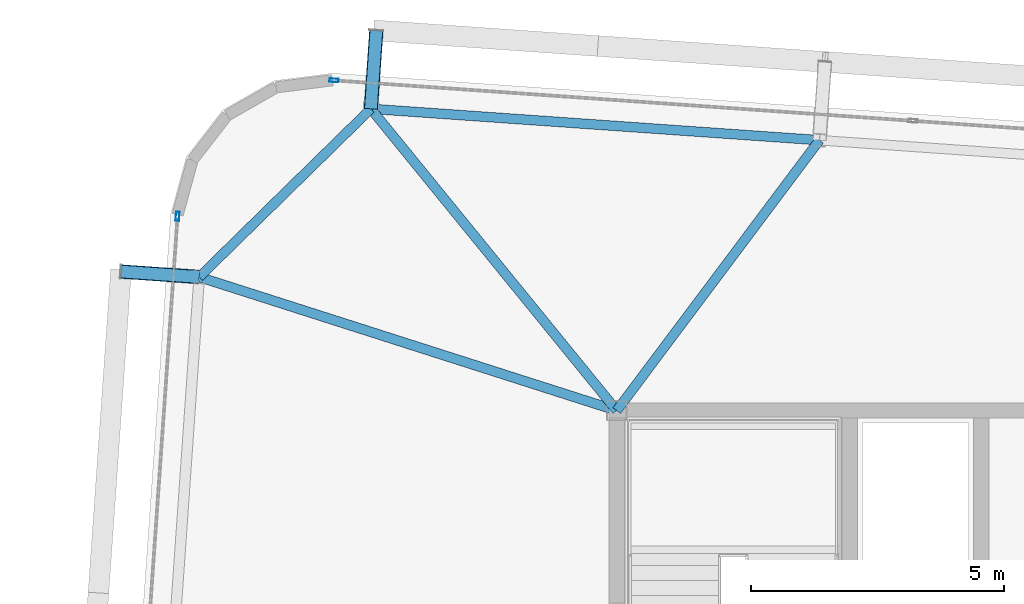
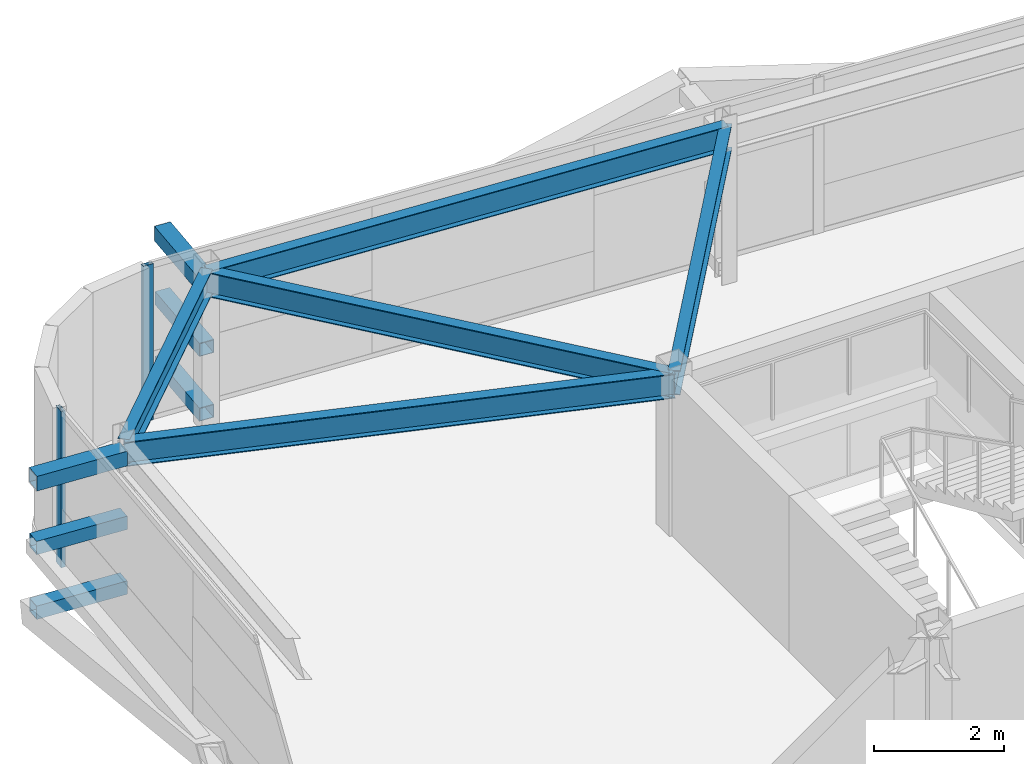
# One storey, part 19 of 39: 8 members, 5 beams, 2 elements without a shape of their own.
"""IFC4 building model written with IfcOpenShell, lengths in metres."""

from ifc_helpers import new_model, si_unit, direction, frame, origin, origin_2d, place, context, subcontext, project, spatial, hollow_rectangle, i_section, extrude, source, transform, mapped, material, layer, layer_set, material_profile, profile_set, type_object, element, aggregate, save


model = new_model("IFC4")

# Units and contexts
model_context = context("Model", 3, precision=1e-05, world=origin(), true_north=direction((0.0, 1.0)))
body_context = subcontext(model_context, "Body", "Model", "MODEL_VIEW")
ifc_project = project(units=[si_unit("LENGTHUNIT", "METRE"), si_unit("AREAUNIT", "SQUARE_METRE"), si_unit("VOLUMEUNIT", "CUBIC_METRE"), si_unit("PLANEANGLEUNIT", "RADIAN"), si_unit("MASSUNIT", "GRAM", prefix="KILO")], contexts=[model_context])

# Site, building, storey
site_placement = place(None, origin())
site = spatial("IfcSite", under=ifc_project, at=site_placement, CompositionType="ELEMENT")
building_placement = place(site_placement, origin())
building = spatial("IfcBuilding", under=site, at=building_placement, Name="Taldren Reach Tower", CompositionType="ELEMENT")
storey_placement = place(building_placement, frame((0.0, 0.0, 126.699951171875)))
storey = spatial("IfcBuildingStorey", under=building, at=storey_placement, Name="L38", CompositionType="ELEMENT", Elevation=126.699951171875)

# Members
ifc_material_1 = material(Name="Steel Gr 450 (C450L0)", Category="steel")
ifc_material_profile_1 = material_profile(ifc_material_1, hollow_rectangle(XDim=0.27490234375, YDim=0.27490234375, WallThickness=0.00927734375, at=origin_2d()), Name="275x275x9.3SHS")
ifc_profile_set_1 = profile_set([ifc_material_profile_1], Name="Steel Gr 450 (C450L0)")
member_type_1 = type_object("IfcMemberType", Name="MB-TIE273", PredefinedType="STRUT", material=ifc_profile_set_1)
shared_shape_1 = source(origin(), body_context, "Body", "SweptSolid", [
    extrude(hollow_rectangle(XDim=0.27490234375, YDim=0.27490234375, WallThickness=0.00927734375, at=origin_2d()), origin(), (0.0, 0.0, 1.0), 1.5498046875),
])
for number, where, z_axis, x_axis, name in (
    (1, (14.14453125, 37.958740234375, 2.650146484375), (0.069780535098, 0.997562367434, 0.0), (-0.997562367434, 0.069780535098, 0.0), "Exoskeleton diaphragm tie strut B3-N1 L38"),
    (2, (10.754638671875, 34.63720703125, 2.650146484375), (-0.997562367434, 0.069780535098, 0.0), (-0.069780535098, -0.997562367434, 0.0), "Exoskeleton diaphragm tie strut B3-W3 L38"),
):
    element("IfcMember", number, at=place(storey_placement, frame(where, z_axis=z_axis, x_axis=x_axis)), inside=storey, type_object=member_type_1, Name=name, PredefinedType="STRUT", context=body_context, shape_type="MappedRepresentation", body=[
        mapped(shared_shape_1, transform((0.0, 0.0, 0.0), scale=1.0)),
    ])
ifc_material_2 = material(Name="Steel Gr 350 (C350L0)", Category="steel")
ifc_material_profile_2 = material_profile(ifc_material_2, hollow_rectangle(XDim=0.25, YDim=0.25, WallThickness=0.010009765625, at=origin_2d()), Name="250x250x10.0SHS")
ifc_profile_set_2 = profile_set([ifc_material_profile_2], Name="Steel Gr 350 (C350L0)")
member_type_2 = type_object("IfcMemberType", Name="MB-POST250", PredefinedType="POST", material=ifc_profile_set_2)
shared_shape_2 = source(origin(), body_context, "Body", "SweptSolid", [
    extrude(hollow_rectangle(XDim=0.25, YDim=0.25, WallThickness=0.010009765625, at=origin_2d()), origin(), (0.0, 0.0, 1.0), 1.5498046875),
])
for number, where, z_axis, x_axis, name in (
    (3, (14.14453125, 37.958740234375, 0.219970703125), (0.069780535098, 0.997562367434, 0.0), (-0.997562367434, 0.069780535098, 0.0), "Exoskeleton base diaphragm tie strut B3-N1 L38"),
    (4, (10.754638671875, 34.63720703125, 0.219970703125), (-0.997562367434, 0.069780535098, 0.0), (-0.069780535098, -0.997562367434, 0.0), "Exoskeleton base diaphragm tie strut B3-W3 L38"),
    (5, (14.14453125, 37.958740234375, 1.43505859375), (0.069780535098, 0.997562367434, 0.0), (-0.997562367434, 0.069780535098, 0.0), "Exoskeleton mid-tier diaphragm tie B3-N1 L38"),
    (6, (10.754638671875, 34.63720703125, 1.43505859375), (-0.997562367434, 0.069780535098, 0.0), (-0.069780535098, -0.997562367434, 0.0), "Exoskeleton mid-tier diaphragm tie B3-W3 L38"),
):
    element("IfcMember", number, at=place(storey_placement, frame(where, z_axis=z_axis, x_axis=x_axis)), inside=storey, type_object=member_type_2, Name=name, PredefinedType="POST", context=body_context, shape_type="MappedRepresentation", body=[
        mapped(shared_shape_2, transform((0.0, 0.0, 0.0), scale=1.0)),
    ])

# Beams
ifc_material_3 = material(Name="Steel Gr 350 (350PLUS)", Category="steel")
ifc_material_profile_3 = material_profile(ifc_material_3, i_section(OverallWidth=0.18994140625, OverallDepth=0.4541015625, WebThickness=0.008544921875, FlangeThickness=0.0126953125, at=origin_2d()), Name="460UB67.1")
ifc_profile_set_3 = profile_set([ifc_material_profile_3], Name="Steel Gr 350 (350PLUS)")
beam_type_1 = type_object("IfcBeamType", Name="SP-UB460B", PredefinedType="SPANDREL", material=ifc_profile_set_3)
shared_shape_3 = source(origin(), body_context, "Body", "SweptSolid", [
    extrude(i_section(OverallWidth=0.18994140625, OverallDepth=0.4541015625, WebThickness=0.008544921875, FlangeThickness=0.0126953125, at=origin_2d()), origin(), (0.0, 0.0, 1.0), 8.880126953125),
])
beam_1_placement = place(storey_placement, frame((23.0029296875, 37.33935546875, 2.703125), z_axis=(-0.997564479639, 0.069750333063, 0.0), x_axis=(-0.069750333063, -0.997564479639, 0.0)))
element("IfcBeam", 7, at=beam_1_placement, inside=storey, type_object=beam_type_1, Name="Perimeter spandrel B3 N2-N1 L38", PredefinedType="SPANDREL", context=body_context, shape_type="MappedRepresentation", body=[
    mapped(shared_shape_3, transform((0.0, 0.0, 0.0), scale=1.0)),
])
shared_shape_4 = source(origin(), body_context, "Body", "SweptSolid", [
    extrude(i_section(OverallWidth=0.18994140625, OverallDepth=0.4541015625, WebThickness=0.008544921875, FlangeThickness=0.0126953125, at=origin_2d()), origin(), (0.0, 0.0, 1.0), 4.745849609375),
])
beam_2_placement = place(storey_placement, frame((14.14453125, 37.958740234375, 2.703125), z_axis=(-0.714271982806, -0.699868226581, 0.0), x_axis=(0.699868226581, -0.714271982806, 0.0)))
element("IfcBeam", 8, at=beam_2_placement, inside=storey, type_object=beam_type_1, Name="Perimeter spandrel B3 N1-W3 L38", PredefinedType="SPANDREL", context=body_context, shape_type="MappedRepresentation", body=[
    mapped(shared_shape_4, transform((0.0, 0.0, 0.0), scale=1.0)),
])
ifc_material_profile_4 = material_profile(ifc_material_3, i_section(OverallWidth=0.19091796875, OverallDepth=0.4599609375, WebThickness=0.010009765625, FlangeThickness=0.01611328125, at=origin_2d()), Name="460UB82.1")
ifc_profile_set_4 = profile_set([ifc_material_profile_4], Name="Steel Gr 350 (350PLUS)")
beam_type_2 = type_object("IfcBeamType", Name="BM-UB460A", PredefinedType="BEAM", material=ifc_profile_set_4)
shared_shape_5 = source(origin(), body_context, "Body", "SweptSolid", [
    extrude(i_section(OverallWidth=0.19091796875, OverallDepth=0.4599609375, WebThickness=0.010009765625, FlangeThickness=0.01611328125, at=origin_2d()), origin(), (0.0, 0.0, 1.0), 6.67333984375),
])
beam_3_placement = place(storey_placement, frame((19.0, 32.0, 2.699951171875), z_axis=(0.599847795508, 0.800114130749, 0.0), x_axis=(-0.800114130749, 0.599847795508, 0.0)))
element("IfcBeam", 9, at=beam_3_placement, inside=storey, type_object=beam_type_2, Name="Primary floor girder B3-N2 L38", PredefinedType="BEAM", context=body_context, shape_type="MappedRepresentation", body=[
    mapped(shared_shape_5, transform((0.0, 0.0, 0.0), scale=1.0)),
])
shared_shape_6 = source(origin(), body_context, "Body", "SweptSolid", [
    extrude(i_section(OverallWidth=0.19091796875, OverallDepth=0.4599609375, WebThickness=0.010009765625, FlangeThickness=0.01611328125, at=origin_2d()), origin(), (0.0, 0.0, 1.0), 7.6865234375),
])
beam_4_placement = place(storey_placement, frame((19.0, 32.0, 2.699951171875), z_axis=(-0.631688504871, 0.775222311866, 0.0), x_axis=(-0.775222311866, -0.631688504871, 0.0)))
element("IfcBeam", 10, at=beam_4_placement, inside=storey, type_object=beam_type_2, Name="Primary floor girder B3-N1 L38", PredefinedType="BEAM", context=body_context, shape_type="MappedRepresentation", body=[
    mapped(shared_shape_6, transform((0.0, 0.0, 0.0), scale=1.0)),
])
shared_shape_7 = source(origin(), body_context, "Body", "SweptSolid", [
    extrude(i_section(OverallWidth=0.19091796875, OverallDepth=0.4599609375, WebThickness=0.010009765625, FlangeThickness=0.01611328125, at=origin_2d()), origin(), (0.0, 0.0, 1.0), 8.65673828125),
])
beam_5_placement = place(storey_placement, frame((19.0, 32.0, 2.699951171875), z_axis=(-0.952468016288, 0.304638602195, 0.0), x_axis=(-0.304638602195, -0.952468016288, 0.0)))
element("IfcBeam", 11, at=beam_5_placement, inside=storey, type_object=beam_type_2, Name="Primary floor girder B3-W3 L38", PredefinedType="BEAM", context=body_context, shape_type="MappedRepresentation", body=[
    mapped(shared_shape_7, transform((0.0, 0.0, 0.0), scale=1.0)),
])

# Curtain wall, member
ifc_material_4 = material(Name="Aluminium and Low-E Glass Unitised System", Category="aluminium")
ifc_layer = layer(ifc_material_4, 0.159912109375)
ifc_layer_set = layer_set([ifc_layer], Name="Aluminium and Low-E Glass Unitised System")
curtain_wall_type = type_object("IfcCurtainWallType", Name="CW-SYS-4", PredefinedType="NOTDEFINED", material=ifc_layer_set)
curtain_wall_1_placement = place(storey_placement, origin())
curtain_wall_1 = element("IfcCurtainWall", 12, at=curtain_wall_1_placement, inside=storey, type_object=curtain_wall_type, Name="Unitised curtain wall CW-L38-N", PredefinedType="NOTDEFINED")
ifc_material_5 = material(Name="Anodised Aluminium 6063-T6", Category="aluminium")
ifc_material_profile_5 = material_profile(ifc_material_5, hollow_rectangle(XDim=0.070068359375, YDim=0.179931640625, WallThickness=0.00390625, at=origin_2d()), Name="ALU-180x70x4RHS")
ifc_profile_set_5 = profile_set([ifc_material_profile_5], Name="Anodised Aluminium 6063-T6")
member_type_3 = type_object("IfcMemberType", Name="CW-MUL-180", PredefinedType="MULLION", material=ifc_profile_set_5)
shared_shape_8 = source(origin(), body_context, "Body", "SweptSolid", [
    extrude(hollow_rectangle(XDim=0.070068359375, YDim=0.179931640625, WallThickness=0.00390625, at=origin_2d()), origin(), (0.0, 0.0, 1.0), 2.929931640625),
])
member_1_placement = place(storey_placement, frame((13.4169921875, 38.52099609375, 0.0), z_axis=(0.0, 0.0, 1.0), x_axis=(-0.06975651593, -0.99756404731, 0.0)))
member_1 = element("IfcMember", 13, at=member_1_placement, type_object=member_type_3, Name="CW-4 mullion 5", PredefinedType="MULLION", context=body_context, shape_type="MappedRepresentation", body=[
    mapped(shared_shape_8, transform((0.0, 0.0, 0.0), scale=1.0)),
])
aggregate(curtain_wall_1, [member_1])

curtain_wall_2_placement = place(storey_placement, origin())
curtain_wall_2 = element("IfcCurtainWall", 14, at=curtain_wall_2_placement, inside=storey, type_object=curtain_wall_type, Name="Unitised curtain wall CW-L38-W", PredefinedType="NOTDEFINED")
member_2_placement = place(storey_placement, frame((10.3271484375, 35.8349609375, 0.0), z_axis=(0.0, 0.0, 1.0), x_axis=(0.997564052812, -0.069756437251, 0.0)))
member_2 = element("IfcMember", 15, at=member_2_placement, type_object=member_type_3, Name="CW-4 mullion 1", PredefinedType="MULLION", context=body_context, shape_type="MappedRepresentation", body=[
    mapped(shared_shape_8, transform((0.0, 0.0, 0.0), scale=1.0)),
])
aggregate(curtain_wall_2, [member_2])

save(model, "model.ifc")
